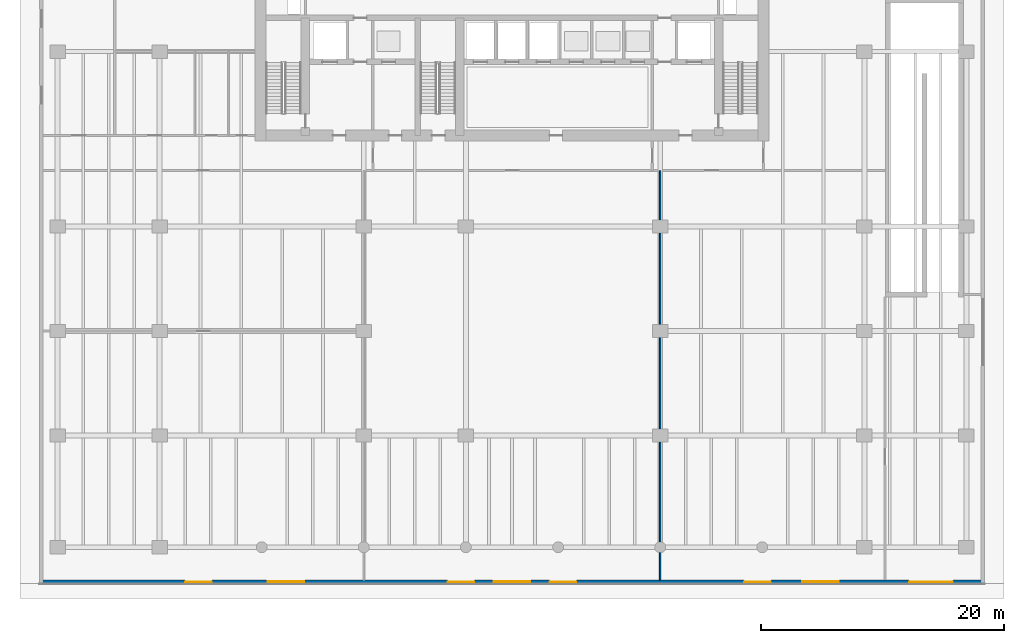
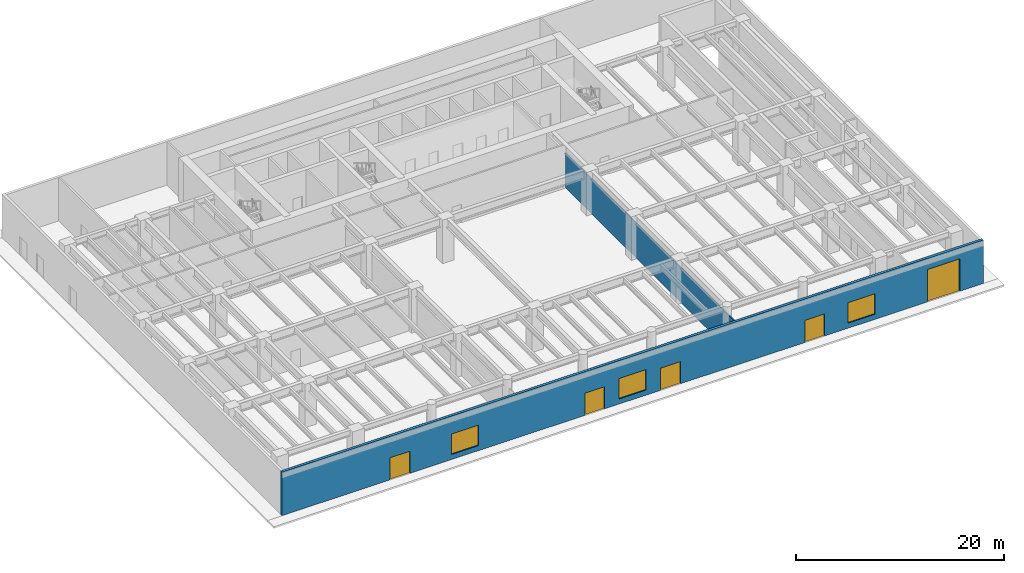
# One storey, part 4 of 11: 5 doors, 3 windows, 2 walls, 8 openings.
"""IFC4 building model written with IfcOpenShell, lengths in metres."""

from ifc_helpers import new_model, si_unit, direction, frame, frame_2d, origin, place, context, subcontext, project, spatial, rectangle, extrude, material, layer, layer_set, type_object, element, fill, save


model = new_model("IFC4")

# Units and contexts
model_context = context("Model", 3, precision=1e-05, world=origin(), true_north=direction((0.0, 1.0)))
body_context = subcontext(model_context, "Body", "Model", "MODEL_VIEW")
ifc_project = project(units=[si_unit("LENGTHUNIT", "METRE"), si_unit("AREAUNIT", "SQUARE_METRE"), si_unit("VOLUMEUNIT", "CUBIC_METRE"), si_unit("PLANEANGLEUNIT", "RADIAN"), si_unit("MASSUNIT", "GRAM", prefix="KILO")], contexts=[model_context])

# Site, building, storey
site_placement = place(None, origin())
site = spatial("IfcSite", under=ifc_project, at=site_placement, CompositionType="ELEMENT")
building_placement = place(site_placement, origin())
building = spatial("IfcBuilding", under=site, at=building_placement, Name="Caelmar Bay Residences", CompositionType="ELEMENT")
storey_placement = place(building_placement, origin())
storey = spatial("IfcBuildingStorey", under=building, at=storey_placement, Name="L00", CompositionType="ELEMENT", Elevation=0.0)

# Wall, openings, doors, windows
ifc_material_1 = material(Name="Precast concrete f'c 40 MPa (6,000 psi)", Category="concrete")
ifc_layer_1 = layer(ifc_material_1, 0.300048828125)
ifc_layer_set_1 = layer_set([ifc_layer_1], Name="Precast concrete f'c 40 MPa (6,000 psi)")
wall_type_1 = type_object("IfcWallType", Name="W-EXT-300", PredefinedType="STANDARD", material=ifc_layer_set_1)
wall_1_placement = place(storey_placement, frame((77.800048828125, 0.14990234375, 0.0), z_axis=(0.0, 0.0, 1.0), x_axis=(-1.0, 0.0, 0.0)))
wall_1 = element("IfcWall", 1, at=wall_1_placement, inside=storey, type_object=wall_type_1, Name="L00 South Bayfront Exterior Wall", PredefinedType="STANDARD", context=body_context, shape_type="SweptSolid", body=[
    extrude(rectangle(XDim=77.800048828125, YDim=0.300048828125, at=frame_2d((38.89990234375, 0.0))), origin(), (0.0, 0.0, 1.0), 5.10009765625),
])
opening_1_placement = place(wall_1_placement, frame((2.60009765625, 0.0, 0.0)))
opening_1 = element("IfcOpeningElement", 2, at=opening_1_placement, cuts=wall_1, Name="Opening L00-VG02", PredefinedType="OPENING", context=body_context, shape_type="SweptSolid", body=[
    extrude(rectangle(XDim=3.60009765625, YDim=3.800048828125, at=frame_2d((1.800048828125, 1.89990234375))), frame((0.0, 0.159912109375, 0.0), z_axis=(0.0, -1.0, 0.0), x_axis=(1.0, 0.0, 0.0)), (0.0, 0.0, 1.0), 0.320068359375),
])
opening_2_placement = place(wall_1_placement, frame((17.60009765625, 0.0, 0.0)))
opening_2 = element("IfcOpeningElement", 3, at=opening_2_placement, cuts=wall_1, Name="Opening L00-D004", PredefinedType="OPENING", context=body_context, shape_type="SweptSolid", body=[
    extrude(rectangle(XDim=2.199951171875, YDim=2.60009765625, at=frame_2d((1.10009765625, 1.300048828125))), frame((0.0, 0.159912109375, 0.0), z_axis=(0.0, -1.0, 0.0), x_axis=(1.0, 0.0, 0.0)), (0.0, 0.0, 1.0), 0.320068359375),
])
opening_3_placement = place(wall_1_placement, frame((12.0, 0.0, 0.60009765625)))
opening_3 = element("IfcOpeningElement", 4, at=opening_3_placement, cuts=wall_1, Name="Opening WN4", PredefinedType="OPENING", context=body_context, shape_type="SweptSolid", body=[
    extrude(rectangle(XDim=3.0, YDim=2.39990234375, at=frame_2d((1.5, 1.199951171875))), frame((0.0, 0.159912109375, 0.0), z_axis=(0.0, -1.0, 0.0), x_axis=(1.0, 0.0, 0.0)), (0.0, 0.0, 1.0), 0.320068359375),
])
opening_4_placement = place(wall_1_placement, frame((33.60009765625, 0.0, 0.0)))
opening_4 = element("IfcOpeningElement", 5, at=opening_4_placement, cuts=wall_1, Name="Opening L00-D001", PredefinedType="OPENING", context=body_context, shape_type="SweptSolid", body=[
    extrude(rectangle(XDim=2.199951171875, YDim=2.60009765625, at=frame_2d((1.10009765625, 1.300048828125))), frame((0.0, 0.159912109375, 0.0), z_axis=(0.0, -1.0, 0.0), x_axis=(1.0, 0.0, 0.0)), (0.0, 0.0, 1.0), 0.320068359375),
])
opening_5_placement = place(wall_1_placement, frame((42.0, 0.0, 0.0)))
opening_5 = element("IfcOpeningElement", 6, at=opening_5_placement, cuts=wall_1, Name="Opening L00-D002", PredefinedType="OPENING", context=body_context, shape_type="SweptSolid", body=[
    extrude(rectangle(XDim=2.199951171875, YDim=2.60009765625, at=frame_2d((1.10009765625, 1.300048828125))), frame((0.0, 0.159912109375, 0.0), z_axis=(0.0, -1.0, 0.0), x_axis=(1.0, 0.0, 0.0)), (0.0, 0.0, 1.0), 0.320068359375),
])
opening_6_placement = place(wall_1_placement, frame((37.39990234375, 0.0, 0.60009765625)))
opening_6 = element("IfcOpeningElement", 7, at=opening_6_placement, cuts=wall_1, Name="Opening WN4", PredefinedType="OPENING", context=body_context, shape_type="SweptSolid", body=[
    extrude(rectangle(XDim=3.0, YDim=2.39990234375, at=frame_2d((1.5, 1.199951171875))), frame((0.0, 0.159912109375, 0.0), z_axis=(0.0, -1.0, 0.0), x_axis=(1.0, 0.0, 0.0)), (0.0, 0.0, 1.0), 0.320068359375),
])
opening_7_placement = place(wall_1_placement, frame((63.60009765625, 0.0, 0.0)))
opening_7 = element("IfcOpeningElement", 8, at=opening_7_placement, cuts=wall_1, Name="Opening L00-D003", PredefinedType="OPENING", context=body_context, shape_type="SweptSolid", body=[
    extrude(rectangle(XDim=2.199951171875, YDim=2.60009765625, at=frame_2d((1.10009765625, 1.300048828125))), frame((0.0, 0.159912109375, 0.0), z_axis=(0.0, -1.0, 0.0), x_axis=(1.0, 0.0, 0.0)), (0.0, 0.0, 1.0), 0.320068359375),
])
opening_8_placement = place(wall_1_placement, frame((56.0, 0.0, 0.60009765625)))
opening_8 = element("IfcOpeningElement", 9, at=opening_8_placement, cuts=wall_1, Name="Opening WN4", PredefinedType="OPENING", context=body_context, shape_type="SweptSolid", body=[
    extrude(rectangle(XDim=3.0, YDim=2.39990234375, at=frame_2d((1.5, 1.199951171875))), frame((0.0, 0.159912109375, 0.0), z_axis=(0.0, -1.0, 0.0), x_axis=(1.0, 0.0, 0.0)), (0.0, 0.0, 1.0), 0.320068359375),
])
ifc_material_2 = material(Name="Anodised bronze framed laminated glass entrance door", Category="glass")
ifc_layer_2 = layer(ifc_material_2, 0.050048828125)
ifc_layer_set_2 = layer_set([ifc_layer_2], Name="Anodised bronze framed laminated glass entrance door")
door_type_1 = type_object("IfcDoorType", Name="D-ENT-2200", OperationType="DOUBLE_DOOR_SINGLE_SWING", PredefinedType="DOOR", material=ifc_layer_set_2)
door_1_placement = place(opening_2_placement, origin())
door_1 = element("IfcDoor", 10, at=door_1_placement, inside=storey, type_object=door_type_1, Name="Retail Street Entrance Door", OperationType="DOUBLE_DOOR_SINGLE_SWING", OverallHeight=2.60009765625, OverallWidth=2.199951171875, PredefinedType="DOOR", context=body_context, shape_type="SweptSolid", body=[
    extrude(rectangle(XDim=2.199951171875, YDim=2.60009765625, at=frame_2d((1.10009765625, 1.300048828125))), frame((0.0, 0.02490234375, 0.0), z_axis=(0.0, -1.0, 0.0), x_axis=(1.0, 0.0, 0.0)), (0.0, 0.0, 1.0), 0.050048828125),
])
fill(opening_2, door_1)
door_2_placement = place(opening_4_placement, origin())
door_2 = element("IfcDoor", 11, at=door_2_placement, inside=storey, type_object=door_type_1, Name="Main Lobby Entrance Door East", OperationType="DOUBLE_DOOR_SINGLE_SWING", OverallHeight=2.60009765625, OverallWidth=2.199951171875, PredefinedType="DOOR", context=body_context, shape_type="SweptSolid", body=[
    extrude(rectangle(XDim=2.199951171875, YDim=2.60009765625, at=frame_2d((1.10009765625, 1.300048828125))), frame((0.0, 0.02490234375, 0.0), z_axis=(0.0, -1.0, 0.0), x_axis=(1.0, 0.0, 0.0)), (0.0, 0.0, 1.0), 0.050048828125),
])
fill(opening_4, door_2)
door_3_placement = place(opening_5_placement, origin())
door_3 = element("IfcDoor", 12, at=door_3_placement, inside=storey, type_object=door_type_1, Name="Main Lobby Entrance Door West", OperationType="DOUBLE_DOOR_SINGLE_SWING", OverallHeight=2.60009765625, OverallWidth=2.199951171875, PredefinedType="DOOR", context=body_context, shape_type="SweptSolid", body=[
    extrude(rectangle(XDim=2.199951171875, YDim=2.60009765625, at=frame_2d((1.10009765625, 1.300048828125))), frame((0.0, 0.02490234375, 0.0), z_axis=(0.0, -1.0, 0.0), x_axis=(1.0, 0.0, 0.0)), (0.0, 0.0, 1.0), 0.050048828125),
])
fill(opening_5, door_3)
door_4_placement = place(opening_7_placement, origin())
door_4 = element("IfcDoor", 13, at=door_4_placement, inside=storey, type_object=door_type_1, Name="Bayfront Cafe Entrance Door", OperationType="DOUBLE_DOOR_SINGLE_SWING", OverallHeight=2.60009765625, OverallWidth=2.199951171875, PredefinedType="DOOR", context=body_context, shape_type="SweptSolid", body=[
    extrude(rectangle(XDim=2.199951171875, YDim=2.60009765625, at=frame_2d((1.10009765625, 1.300048828125))), frame((0.0, 0.02490234375, 0.0), z_axis=(0.0, -1.0, 0.0), x_axis=(1.0, 0.0, 0.0)), (0.0, 0.0, 1.0), 0.050048828125),
])
fill(opening_7, door_4)
ifc_material_3 = material(Name="Insulated aluminium service dock roller shutter", Category="aluminium")
ifc_layer_3 = layer(ifc_material_3, 0.080078125)
ifc_layer_set_3 = layer_set([ifc_layer_3], Name="Insulated aluminium service dock roller shutter")
door_type_2 = type_object("IfcDoorType", Name="G-LOAD-3600", OperationType="ROLLINGUP", PredefinedType="GATE", material=ifc_layer_set_3)
door_5_placement = place(opening_1_placement, origin())
door_5 = element("IfcDoor", 14, at=door_5_placement, inside=storey, type_object=door_type_2, Name="Loading Dock Hurricane Shutter", OperationType="ROLLINGUP", OverallHeight=3.800048828125, OverallWidth=3.60009765625, PredefinedType="GATE", context=body_context, shape_type="SweptSolid", body=[
    extrude(rectangle(XDim=3.60009765625, YDim=3.800048828125, at=frame_2d((1.800048828125, 1.89990234375))), frame((0.0, 0.02490234375, 0.0), z_axis=(0.0, -1.0, 0.0), x_axis=(1.0, 0.0, 0.0)), (0.0, 0.0, 1.0), 0.050048828125),
])
fill(opening_1, door_5)
ifc_material_4 = material(Name="Bronze aluminium frame with laminated low-E glass", Category="aluminium")
ifc_layer_4 = layer(ifc_material_4, 0.06005859375)
ifc_layer_set_4 = layer_set([ifc_layer_4], Name="Bronze aluminium frame with laminated low-E glass")
window_type = type_object("IfcWindowType", Name="WIN-POD-3000", PartitioningType="SINGLE_PANEL", PredefinedType="WINDOW", material=ifc_layer_set_4)
window_1_placement = place(opening_3_placement, origin())
window_1 = element("IfcWindow", 15, at=window_1_placement, inside=storey, type_object=window_type, Name="Retail Storefront Window East", OverallHeight=2.39990234375, OverallWidth=3.0, PartitioningType="SINGLE_PANEL", PredefinedType="WINDOW", context=body_context, shape_type="SweptSolid", body=[
    extrude(rectangle(XDim=3.0, YDim=2.39990234375, at=frame_2d((1.5, 1.199951171875))), frame((0.0, 0.030029296875, 0.0), z_axis=(0.0, -1.0, 0.0), x_axis=(1.0, 0.0, 0.0)), (0.0, 0.0, 1.0), 0.06005859375),
])
fill(opening_3, window_1)
window_2_placement = place(opening_6_placement, origin())
window_2 = element("IfcWindow", 16, at=window_2_placement, inside=storey, type_object=window_type, Name="Main Lobby Center Window", OverallHeight=2.39990234375, OverallWidth=3.0, PartitioningType="SINGLE_PANEL", PredefinedType="WINDOW", context=body_context, shape_type="SweptSolid", body=[
    extrude(rectangle(XDim=3.0, YDim=2.39990234375, at=frame_2d((1.5, 1.199951171875))), frame((0.0, 0.030029296875, 0.0), z_axis=(0.0, -1.0, 0.0), x_axis=(1.0, 0.0, 0.0)), (0.0, 0.0, 1.0), 0.06005859375),
])
fill(opening_6, window_2)
window_3_placement = place(opening_8_placement, origin())
window_3 = element("IfcWindow", 17, at=window_3_placement, inside=storey, type_object=window_type, Name="Bayfront Cafe Storefront Window", OverallHeight=2.39990234375, OverallWidth=3.0, PartitioningType="SINGLE_PANEL", PredefinedType="WINDOW", context=body_context, shape_type="SweptSolid", body=[
    extrude(rectangle(XDim=3.0, YDim=2.39990234375, at=frame_2d((1.5, 1.199951171875))), frame((0.0, 0.030029296875, 0.0), z_axis=(0.0, -1.0, 0.0), x_axis=(1.0, 0.0, 0.0)), (0.0, 0.0, 1.0), 0.06005859375),
])
fill(opening_8, window_3)

# Wall
ifc_material_5 = material(Name="Acoustic metal-stud gypsum partition 120 mm")
ifc_layer_5 = layer(ifc_material_5, 0.1201171875)
ifc_layer_set_5 = layer_set([ifc_layer_5], Name="Acoustic metal-stud gypsum partition 120 mm")
wall_type_2 = type_object("IfcWallType", Name="W-PRT-120", PredefinedType="PARTITIONING", material=ifc_layer_set_5)
wall_2_placement = place(storey_placement, frame((51.10009765625, 0.294921875, 0.0), z_axis=(0.0, 0.0, 1.0), x_axis=(0.0, 1.0, 0.0)))
element("IfcWall", 18, at=wall_2_placement, inside=storey, type_object=wall_type_2, Name="L00 Partition Wall V020", PredefinedType="PARTITIONING", context=body_context, shape_type="SweptSolid", body=[
    extrude(rectangle(XDim=33.705078125, YDim=0.1201171875, at=frame_2d((16.8525390625, 0.0))), origin(), (0.0, 0.0, 1.0), 4.06396484375),
])

save(model, "model.ifc")
